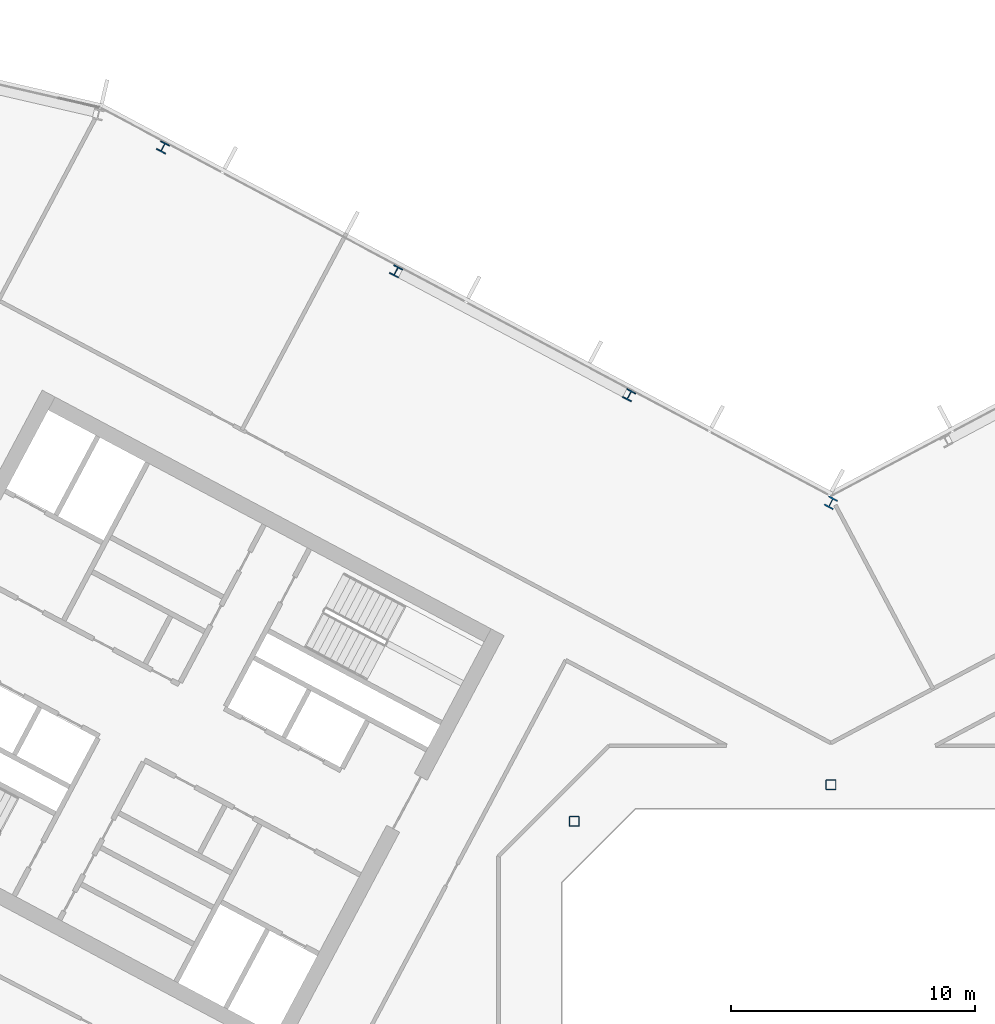
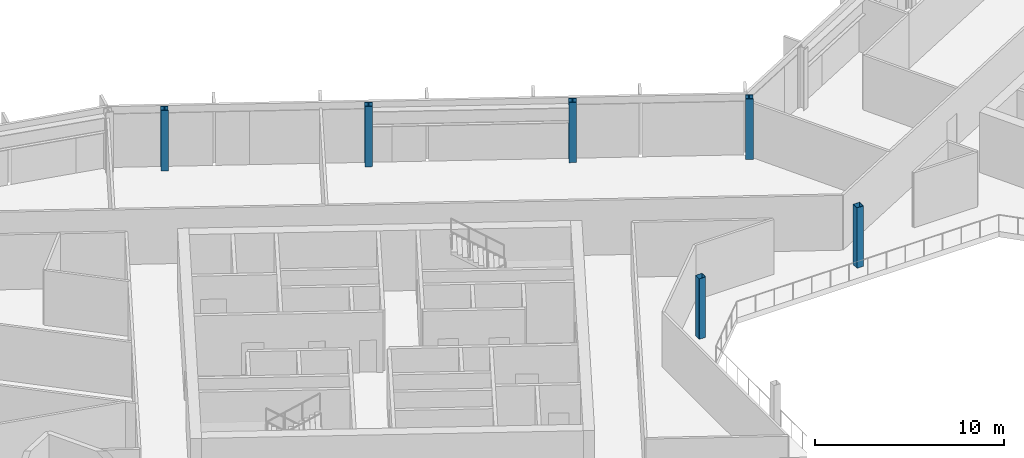
# One storey, part 4 of 26: 6 columns.
"""IFC4 building model written with IfcOpenShell, lengths in metres."""

from ifc_helpers import new_model, si_unit, direction, frame, origin, origin_2d, place, context, subcontext, project, spatial, hollow_rectangle, i_section, extrude, material, material_profile, profile_set, type_object, element, save


model = new_model("IFC4")

# Units and contexts
model_context = context("Model", 3, precision=1e-05, world=origin(), true_north=direction((0.0, 1.0)))
body_context = subcontext(model_context, "Body", "Model", "MODEL_VIEW")
ifc_project = project(units=[si_unit("LENGTHUNIT", "METRE"), si_unit("AREAUNIT", "SQUARE_METRE"), si_unit("VOLUMEUNIT", "CUBIC_METRE"), si_unit("PLANEANGLEUNIT", "RADIAN"), si_unit("MASSUNIT", "GRAM", prefix="KILO")], contexts=[model_context])

# Site, building, storey
site_placement = place(None, origin())
site = spatial("IfcSite", under=ifc_project, at=site_placement, CompositionType="ELEMENT")
building_placement = place(site_placement, origin())
building = spatial("IfcBuilding", under=site, at=building_placement, Name="Cormorant Relay Tower", CompositionType="ELEMENT")
storey_placement = place(building_placement, frame((0.0, 0.0, 213.0)))
storey = spatial("IfcBuildingStorey", under=building, at=storey_placement, Name="L46", CompositionType="ELEMENT", Elevation=213.0)

# Columns
ifc_material_1 = material(Name="Steel ASTM A500 Grade C (Fy 345 MPa)", Category="steel")
ifc_material_profile_1 = material_profile(ifc_material_1, hollow_rectangle(XDim=0.406494140625, YDim=0.406494140625, WallThickness=0.0146484375, InnerFilletRadius=0.00732421875, OuterFilletRadius=0.022216796875, at=origin_2d()), Name="HSS406x406x15")
ifc_profile_set_1 = profile_set([ifc_material_profile_1], Name="Steel ASTM A500 Grade C (Fy 345 MPa)")
column_type_1 = type_object("IfcColumnType", Name="Column HSS406x406x15", PredefinedType="COLUMN", material=ifc_profile_set_1)
for number, where, z_axis, x_axis, name in (
    (1, (-10.5, 10.5, 0.0), (0.0, 0.0, 1.0), (1.0, 0.0, 0.0), "Column L46-023"),
    (2, (0.0, 12.0, 0.0), (0.0, 0.0, 1.0), (1.0, 0.0, 0.0), "Column L46-025"),
):
    element("IfcColumn", number, at=place(storey_placement, frame(where, z_axis=z_axis, x_axis=x_axis)), inside=storey, type_object=column_type_1, Name=name, PredefinedType="COLUMN", context=body_context, shape_type="SweptSolid", body=[
        extrude(hollow_rectangle(XDim=0.406494140625, YDim=0.406494140625, WallThickness=0.0146484375, InnerFilletRadius=0.00732421875, OuterFilletRadius=0.022216796875, at=origin_2d()), origin(), (0.0, 0.0, 1.0), 3.89990234375),
    ])
ifc_material_2 = material(Name="Steel ASTM A992 (Fy 345 MPa)", Category="steel")
ifc_material_profile_2 = material_profile(ifc_material_2, i_section(OverallWidth=0.40380859375, OverallDepth=0.406494140625, WebThickness=0.027099609375, FlangeThickness=0.043701171875, FilletRadius=0.01513671875, at=origin_2d()), Name="W360x347")
ifc_profile_set_2 = profile_set([ifc_material_profile_2], Name="Steel ASTM A992 (Fy 345 MPa)")
column_type_2 = type_object("IfcColumnType", Name="Column W360x347", PredefinedType="COLUMN", material=ifc_profile_set_2)
for number, where, z_axis, x_axis, name in (
    (3, (-8.251953125, 27.93408203125, 0.0), (0.0, 0.0, 1.0), (-0.882947592859, 0.469471562786, 0.0), "Column L46-033"),
    (4, (-17.7880859375, 33.00390625, 0.0), (0.0, 0.0, 1.0), (-0.882947592859, 0.469471562786, 0.0), "Column L46-037"),
    (5, (-27.322998046875, 38.073974609375, 0.0), (0.0, 0.0, 1.0), (-0.882947592859, 0.469471562786, 0.0), "Column L46-040"),
):
    element("IfcColumn", number, at=place(storey_placement, frame(where, z_axis=z_axis, x_axis=x_axis)), inside=storey, type_object=column_type_2, Name=name, PredefinedType="COLUMN", context=body_context, shape_type="SweptSolid", body=[
        extrude(i_section(OverallWidth=0.40380859375, OverallDepth=0.406494140625, WebThickness=0.027099609375, FlangeThickness=0.043701171875, FilletRadius=0.01513671875, at=origin_2d()), origin(), (0.0, 0.0, 1.0), 3.89990234375),
    ])
ifc_material_3 = material(Name="Steel ASTM A992 (Fy 345 MPa)", Category="steel")
ifc_material_profile_3 = material_profile(ifc_material_3, i_section(OverallWidth=0.41162109375, OverallDepth=0.434326171875, WebThickness=0.035888671875, FlangeThickness=0.057373046875, FilletRadius=0.01513671875, at=origin_2d()), Name="W360x463")
ifc_profile_set_3 = profile_set([ifc_material_profile_3], Name="Steel ASTM A992 (Fy 345 MPa)")
column_type_3 = type_object("IfcColumnType", Name="Column W360x463", PredefinedType="COLUMN", material=ifc_profile_set_3)
column_placement = place(storey_placement, frame((0.0, 23.533935546875, 0.0), z_axis=(0.0, 0.0, 1.0), x_axis=(-0.882947592859, 0.469471562786, 0.0)))
element("IfcColumn", 6, at=column_placement, inside=storey, type_object=column_type_3, Name="Column L46-030", PredefinedType="COLUMN", context=body_context, shape_type="SweptSolid", body=[
    extrude(i_section(OverallWidth=0.41162109375, OverallDepth=0.434326171875, WebThickness=0.035888671875, FlangeThickness=0.057373046875, FilletRadius=0.01513671875, at=origin_2d()), origin(), (0.0, 0.0, 1.0), 3.89990234375),
])

save(model, "model.ifc")
